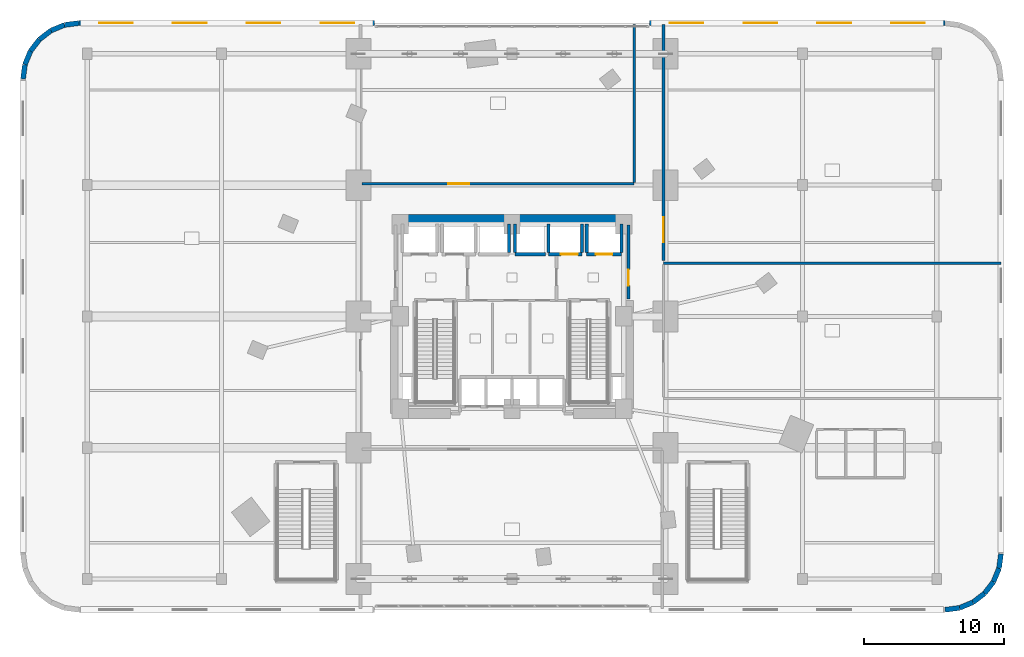
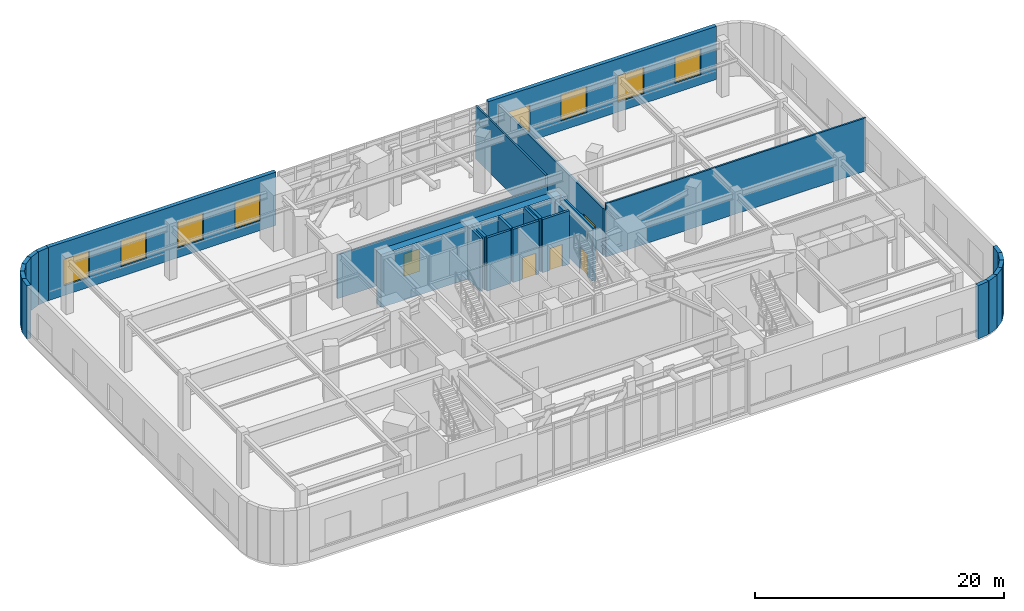
# One storey, part 15 of 19: 29 walls, 8 windows, 5 doors, 13 openings.
"""IFC4 building model written with IfcOpenShell, lengths in metres."""

from ifc_helpers import new_model, si_unit, direction, frame, frame_2d, origin, place, context, subcontext, project, spatial, rectangle, extrude, material, layer, layer_set, type_object, element, fill, save


model = new_model("IFC4")

# Units and contexts
model_context = context("Model", 3, precision=1e-05, world=origin(), true_north=direction((0.0, 1.0)))
body_context = subcontext(model_context, "Body", "Model", "MODEL_VIEW")
ifc_project = project(units=[si_unit("LENGTHUNIT", "METRE"), si_unit("AREAUNIT", "SQUARE_METRE"), si_unit("VOLUMEUNIT", "CUBIC_METRE"), si_unit("PLANEANGLEUNIT", "RADIAN"), si_unit("MASSUNIT", "GRAM", prefix="KILO")], contexts=[model_context])

# Site, building, storey
site_placement = place(None, origin())
site = spatial("IfcSite", under=ifc_project, at=site_placement, CompositionType="ELEMENT")
building_placement = place(site_placement, origin())
building = spatial("IfcBuilding", under=site, at=building_placement, Name="Ndelora Gate Hotel", CompositionType="ELEMENT")
storey_placement = place(building_placement, frame((0.0, 0.0, 16.0)))
storey = spatial("IfcBuildingStorey", under=building, at=storey_placement, Name="L03", CompositionType="ELEMENT", Elevation=16.0)

# Walls
ifc_material_1 = material(Name="Clay Brick Masonry", Category="masonry")
ifc_layer_1 = layer(ifc_material_1, 0.360107421875)
ifc_layer_set_1 = layer_set([ifc_layer_1], Name="Clay Brick Masonry")
wall_type_1 = type_object("IfcWallType", Name="WL-BRICK-360", PredefinedType="SOLIDWALL", material=ifc_layer_set_1)
wall_1_placement = place(storey_placement, frame((32.035400390625, -20.86376953125, 0.0), z_axis=(0.0, 0.0, 1.0), x_axis=(-0.991455091231, -0.130448465198, 0.0)))
element("IfcWall", 1, at=wall_1_placement, inside=storey, type_object=wall_type_1, Name="L03 Exterior Brick Pier-and-Spandrel Wall 1", PredefinedType="SOLIDWALL", context=body_context, shape_type="SweptSolid", body=[
    extrude(rectangle(XDim=1.04443359375, YDim=0.360107421875, at=frame_2d((0.522216796875, 0.0))), origin(), (0.0, 0.0, 1.0), 5.219970703125),
])
for number, where, z_axis, x_axis, name in (
    (2, (33.0, -20.464111328125, 0.0), (0.0, 0.0, 1.0), (-0.923842970528, -0.382771688877, 0.0), "L03 Exterior Brick Pier-and-Spandrel Wall 2"),
    (3, (33.828369140625, -19.828369140625, 0.0), (0.0, 0.0, 1.0), (-0.793301447628, -0.608829050876, 0.0), "L03 Exterior Brick Pier-and-Spandrel Wall 3"),
    (4, (34.464111328125, -19.0, 0.0), (0.0, 0.0, 1.0), (-0.608829050876, -0.793301447628, 0.0), "L03 Exterior Brick Pier-and-Spandrel Wall 4"),
    (5, (34.86376953125, -18.035400390625, 0.0), (0.0, 0.0, 1.0), (-0.382771688877, -0.923842970528, 0.0), "L03 Exterior Brick Pier-and-Spandrel Wall 5"),
):
    element("IfcWall", number, at=place(storey_placement, frame(where, z_axis=z_axis, x_axis=x_axis)), inside=storey, type_object=wall_type_1, Name=name, PredefinedType="SOLIDWALL", context=body_context, shape_type="SweptSolid", body=[
        extrude(rectangle(XDim=1.044189453125, YDim=0.360107421875, at=frame_2d((0.52197265625, 0.0))), origin(), (0.0, 0.0, 1.0), 5.219970703125),
    ])
wall_2_placement = place(storey_placement, frame((35.0, -17.0, 0.0), z_axis=(0.0, 0.0, 1.0), x_axis=(-0.130448465198, -0.991455091231, 0.0)))
element("IfcWall", 6, at=wall_2_placement, inside=storey, type_object=wall_type_1, Name="L03 Exterior Brick Pier-and-Spandrel Wall 6", PredefinedType="SOLIDWALL", context=body_context, shape_type="SweptSolid", body=[
    extrude(rectangle(XDim=1.04443359375, YDim=0.360107421875, at=frame_2d((0.522216796875, 0.0))), origin(), (0.0, 0.0, 1.0), 5.219970703125),
])

# Wall, openings, windows
wall_3_placement = place(storey_placement, frame((-31.0, 21.0, 0.0), z_axis=(0.0, 0.0, 1.0), x_axis=(1.0, 0.0, 0.0)))
wall_3 = element("IfcWall", 7, at=wall_3_placement, inside=storey, type_object=wall_type_1, Name="L03 Exterior Brick Pier-and-Spandrel Wall 14", PredefinedType="SOLIDWALL", context=body_context, shape_type="SweptSolid", body=[
    extrude(rectangle(XDim=21.14990234375, YDim=0.360107421875, at=frame_2d((10.574951171875, 0.0))), origin(), (0.0, 0.0, 1.0), 5.219970703125),
])
opening_1_placement = place(wall_3_placement, frame((1.443603515625, 0.0, 0.949951171875)))
opening_1 = element("IfcOpeningElement", 8, at=opening_1_placement, cuts=wall_3, Name="Opening W04", PredefinedType="OPENING", context=body_context, shape_type="SweptSolid", body=[
    extrude(rectangle(XDim=2.39990234375, YDim=2.60009765625, at=frame_2d((1.199951171875, 1.300048828125))), frame((0.0, 0.18994140625, 0.0), z_axis=(0.0, -1.0, 0.0), x_axis=(1.0, 0.0, 0.0)), (0.0, 0.0, 1.0), 0.380126953125),
])
opening_2_placement = place(wall_3_placement, frame((6.731201171875, 0.0, 0.949951171875)))
opening_2 = element("IfcOpeningElement", 9, at=opening_2_placement, cuts=wall_3, Name="Opening W04", PredefinedType="OPENING", context=body_context, shape_type="SweptSolid", body=[
    extrude(rectangle(XDim=2.39990234375, YDim=2.60009765625, at=frame_2d((1.199951171875, 1.300048828125))), frame((0.0, 0.18994140625, 0.0), z_axis=(0.0, -1.0, 0.0), x_axis=(1.0, 0.0, 0.0)), (0.0, 0.0, 1.0), 0.380126953125),
])
opening_3_placement = place(wall_3_placement, frame((12.018798828125, 0.0, 0.949951171875)))
opening_3 = element("IfcOpeningElement", 10, at=opening_3_placement, cuts=wall_3, Name="Opening W04", PredefinedType="OPENING", context=body_context, shape_type="SweptSolid", body=[
    extrude(rectangle(XDim=2.39990234375, YDim=2.60009765625, at=frame_2d((1.199951171875, 1.300048828125))), frame((0.0, 0.18994140625, 0.0), z_axis=(0.0, -1.0, 0.0), x_axis=(1.0, 0.0, 0.0)), (0.0, 0.0, 1.0), 0.380126953125),
])
opening_4_placement = place(wall_3_placement, frame((17.30615234375, 0.0, 0.949951171875)))
opening_4 = element("IfcOpeningElement", 11, at=opening_4_placement, cuts=wall_3, Name="Opening W04", PredefinedType="OPENING", context=body_context, shape_type="SweptSolid", body=[
    extrude(rectangle(XDim=2.39990234375, YDim=2.60009765625, at=frame_2d((1.199951171875, 1.300048828125))), frame((0.0, 0.18994140625, 0.0), z_axis=(0.0, -1.0, 0.0), x_axis=(1.0, 0.0, 0.0)), (0.0, 0.0, 1.0), 0.380126953125),
])
ifc_material_2 = material(Name="Insulated Low-E Double Glazing in Bronze Aluminium Frame", Category="aluminium")
window_type = type_object("IfcWindowType", Name="WN-POD-2400", PartitioningType="SINGLE_PANEL", PredefinedType="WINDOW", material=ifc_material_2)
window_1_placement = place(opening_1_placement, origin())
window_1 = element("IfcWindow", 12, at=window_1_placement, inside=storey, type_object=window_type, Name="L03 Deep-Set Podium Brick-Frame Window W04", OverallHeight=2.60009765625, OverallWidth=2.39990234375, PartitioningType="SINGLE_PANEL", PredefinedType="WINDOW", context=body_context, shape_type="SweptSolid", body=[
    extrude(rectangle(XDim=2.39990234375, YDim=2.60009765625, at=frame_2d((1.199951171875, 1.300048828125))), frame((0.0, 0.030029296875, 0.0), z_axis=(0.0, -1.0, 0.0), x_axis=(1.0, 0.0, 0.0)), (0.0, 0.0, 1.0), 0.06005859375),
])
fill(opening_1, window_1)
window_2_placement = place(opening_2_placement, origin())
window_2 = element("IfcWindow", 13, at=window_2_placement, inside=storey, type_object=window_type, Name="L03 Deep-Set Podium Brick-Frame Window W04", OverallHeight=2.60009765625, OverallWidth=2.39990234375, PartitioningType="SINGLE_PANEL", PredefinedType="WINDOW", context=body_context, shape_type="SweptSolid", body=[
    extrude(rectangle(XDim=2.39990234375, YDim=2.60009765625, at=frame_2d((1.199951171875, 1.300048828125))), frame((0.0, 0.030029296875, 0.0), z_axis=(0.0, -1.0, 0.0), x_axis=(1.0, 0.0, 0.0)), (0.0, 0.0, 1.0), 0.06005859375),
])
fill(opening_2, window_2)
window_3_placement = place(opening_3_placement, origin())
window_3 = element("IfcWindow", 14, at=window_3_placement, inside=storey, type_object=window_type, Name="L03 Deep-Set Podium Brick-Frame Window W04", OverallHeight=2.60009765625, OverallWidth=2.39990234375, PartitioningType="SINGLE_PANEL", PredefinedType="WINDOW", context=body_context, shape_type="SweptSolid", body=[
    extrude(rectangle(XDim=2.39990234375, YDim=2.60009765625, at=frame_2d((1.199951171875, 1.300048828125))), frame((0.0, 0.030029296875, 0.0), z_axis=(0.0, -1.0, 0.0), x_axis=(1.0, 0.0, 0.0)), (0.0, 0.0, 1.0), 0.06005859375),
])
fill(opening_3, window_3)
window_4_placement = place(opening_4_placement, origin())
window_4 = element("IfcWindow", 15, at=window_4_placement, inside=storey, type_object=window_type, Name="L03 Deep-Set Podium Brick-Frame Window W04", OverallHeight=2.60009765625, OverallWidth=2.39990234375, PartitioningType="SINGLE_PANEL", PredefinedType="WINDOW", context=body_context, shape_type="SweptSolid", body=[
    extrude(rectangle(XDim=2.39990234375, YDim=2.60009765625, at=frame_2d((1.199951171875, 1.300048828125))), frame((0.0, 0.030029296875, 0.0), z_axis=(0.0, -1.0, 0.0), x_axis=(1.0, 0.0, 0.0)), (0.0, 0.0, 1.0), 0.06005859375),
])
fill(opening_4, window_4)

wall_4_placement = place(storey_placement, frame((9.85009765625, 21.0, 0.0), z_axis=(0.0, 0.0, 1.0), x_axis=(1.0, 0.0, 0.0)))
wall_4 = element("IfcWall", 16, at=wall_4_placement, inside=storey, type_object=wall_type_1, Name="L03 Exterior Brick Pier-and-Spandrel Wall 15", PredefinedType="SOLIDWALL", context=body_context, shape_type="SweptSolid", body=[
    extrude(rectangle(XDim=21.14990234375, YDim=0.360107421875, at=frame_2d((10.574951171875, 0.0))), origin(), (0.0, 0.0, 1.0), 5.219970703125),
])
opening_5_placement = place(wall_4_placement, frame((1.443603515625, 0.0, 0.949951171875)))
opening_5 = element("IfcOpeningElement", 17, at=opening_5_placement, cuts=wall_4, Name="Opening W04", PredefinedType="OPENING", context=body_context, shape_type="SweptSolid", body=[
    extrude(rectangle(XDim=2.39990234375, YDim=2.60009765625, at=frame_2d((1.199951171875, 1.300048828125))), frame((0.0, 0.18994140625, 0.0), z_axis=(0.0, -1.0, 0.0), x_axis=(1.0, 0.0, 0.0)), (0.0, 0.0, 1.0), 0.380126953125),
])
opening_6_placement = place(wall_4_placement, frame((6.731201171875, 0.0, 0.949951171875)))
opening_6 = element("IfcOpeningElement", 18, at=opening_6_placement, cuts=wall_4, Name="Opening W04", PredefinedType="OPENING", context=body_context, shape_type="SweptSolid", body=[
    extrude(rectangle(XDim=2.39990234375, YDim=2.60009765625, at=frame_2d((1.199951171875, 1.300048828125))), frame((0.0, 0.18994140625, 0.0), z_axis=(0.0, -1.0, 0.0), x_axis=(1.0, 0.0, 0.0)), (0.0, 0.0, 1.0), 0.380126953125),
])
opening_7_placement = place(wall_4_placement, frame((12.018798828125, 0.0, 0.949951171875)))
opening_7 = element("IfcOpeningElement", 19, at=opening_7_placement, cuts=wall_4, Name="Opening W04", PredefinedType="OPENING", context=body_context, shape_type="SweptSolid", body=[
    extrude(rectangle(XDim=2.39990234375, YDim=2.60009765625, at=frame_2d((1.199951171875, 1.300048828125))), frame((0.0, 0.18994140625, 0.0), z_axis=(0.0, -1.0, 0.0), x_axis=(1.0, 0.0, 0.0)), (0.0, 0.0, 1.0), 0.380126953125),
])
opening_8_placement = place(wall_4_placement, frame((17.30615234375, 0.0, 0.949951171875)))
opening_8 = element("IfcOpeningElement", 20, at=opening_8_placement, cuts=wall_4, Name="Opening W04", PredefinedType="OPENING", context=body_context, shape_type="SweptSolid", body=[
    extrude(rectangle(XDim=2.39990234375, YDim=2.60009765625, at=frame_2d((1.199951171875, 1.300048828125))), frame((0.0, 0.18994140625, 0.0), z_axis=(0.0, -1.0, 0.0), x_axis=(1.0, 0.0, 0.0)), (0.0, 0.0, 1.0), 0.380126953125),
])
window_5_placement = place(opening_5_placement, origin())
window_5 = element("IfcWindow", 21, at=window_5_placement, inside=storey, type_object=window_type, Name="L03 Deep-Set Podium Brick-Frame Window W04", OverallHeight=2.60009765625, OverallWidth=2.39990234375, PartitioningType="SINGLE_PANEL", PredefinedType="WINDOW", context=body_context, shape_type="SweptSolid", body=[
    extrude(rectangle(XDim=2.39990234375, YDim=2.60009765625, at=frame_2d((1.199951171875, 1.300048828125))), frame((0.0, 0.030029296875, 0.0), z_axis=(0.0, -1.0, 0.0), x_axis=(1.0, 0.0, 0.0)), (0.0, 0.0, 1.0), 0.06005859375),
])
fill(opening_5, window_5)
window_6_placement = place(opening_6_placement, origin())
window_6 = element("IfcWindow", 22, at=window_6_placement, inside=storey, type_object=window_type, Name="L03 Deep-Set Podium Brick-Frame Window W04", OverallHeight=2.60009765625, OverallWidth=2.39990234375, PartitioningType="SINGLE_PANEL", PredefinedType="WINDOW", context=body_context, shape_type="SweptSolid", body=[
    extrude(rectangle(XDim=2.39990234375, YDim=2.60009765625, at=frame_2d((1.199951171875, 1.300048828125))), frame((0.0, 0.030029296875, 0.0), z_axis=(0.0, -1.0, 0.0), x_axis=(1.0, 0.0, 0.0)), (0.0, 0.0, 1.0), 0.06005859375),
])
fill(opening_6, window_6)
window_7_placement = place(opening_7_placement, origin())
window_7 = element("IfcWindow", 23, at=window_7_placement, inside=storey, type_object=window_type, Name="L03 Deep-Set Podium Brick-Frame Window W04", OverallHeight=2.60009765625, OverallWidth=2.39990234375, PartitioningType="SINGLE_PANEL", PredefinedType="WINDOW", context=body_context, shape_type="SweptSolid", body=[
    extrude(rectangle(XDim=2.39990234375, YDim=2.60009765625, at=frame_2d((1.199951171875, 1.300048828125))), frame((0.0, 0.030029296875, 0.0), z_axis=(0.0, -1.0, 0.0), x_axis=(1.0, 0.0, 0.0)), (0.0, 0.0, 1.0), 0.06005859375),
])
fill(opening_7, window_7)
window_8_placement = place(opening_8_placement, origin())
window_8 = element("IfcWindow", 24, at=window_8_placement, inside=storey, type_object=window_type, Name="L03 Deep-Set Podium Brick-Frame Window W04", OverallHeight=2.60009765625, OverallWidth=2.39990234375, PartitioningType="SINGLE_PANEL", PredefinedType="WINDOW", context=body_context, shape_type="SweptSolid", body=[
    extrude(rectangle(XDim=2.39990234375, YDim=2.60009765625, at=frame_2d((1.199951171875, 1.300048828125))), frame((0.0, 0.030029296875, 0.0), z_axis=(0.0, -1.0, 0.0), x_axis=(1.0, 0.0, 0.0)), (0.0, 0.0, 1.0), 0.06005859375),
])
fill(opening_8, window_8)

# Walls
wall_5_placement = place(storey_placement, frame((-32.035400390625, 20.86376953125, 0.0), z_axis=(0.0, 0.0, 1.0), x_axis=(0.991455091231, 0.130448465198, 0.0)))
element("IfcWall", 25, at=wall_5_placement, inside=storey, type_object=wall_type_1, Name="L03 Exterior Brick Pier-and-Spandrel Wall 16", PredefinedType="SOLIDWALL", context=body_context, shape_type="SweptSolid", body=[
    extrude(rectangle(XDim=1.04443359375, YDim=0.360107421875, at=frame_2d((0.522216796875, 0.0))), origin(), (0.0, 0.0, 1.0), 5.219970703125),
])
for number, where, z_axis, x_axis, name in (
    (26, (-33.0, 20.464111328125, 0.0), (0.0, 0.0, 1.0), (0.923842970528, 0.382771688877, 0.0), "L03 Exterior Brick Pier-and-Spandrel Wall 17"),
    (27, (-33.828369140625, 19.828369140625, 0.0), (0.0, 0.0, 1.0), (0.793301447628, 0.608829050876, 0.0), "L03 Exterior Brick Pier-and-Spandrel Wall 18"),
    (28, (-34.464111328125, 19.0, 0.0), (0.0, 0.0, 1.0), (0.608829050876, 0.793301447628, 0.0), "L03 Exterior Brick Pier-and-Spandrel Wall 19"),
    (29, (-34.86376953125, 18.035400390625, 0.0), (0.0, 0.0, 1.0), (0.382771688877, 0.923842970528, 0.0), "L03 Exterior Brick Pier-and-Spandrel Wall 20"),
):
    element("IfcWall", number, at=place(storey_placement, frame(where, z_axis=z_axis, x_axis=x_axis)), inside=storey, type_object=wall_type_1, Name=name, PredefinedType="SOLIDWALL", context=body_context, shape_type="SweptSolid", body=[
        extrude(rectangle(XDim=1.044189453125, YDim=0.360107421875, at=frame_2d((0.52197265625, 0.0))), origin(), (0.0, 0.0, 1.0), 5.219970703125),
    ])
wall_6_placement = place(storey_placement, frame((-35.0, 17.0, 0.0), z_axis=(0.0, 0.0, 1.0), x_axis=(0.130448465198, 0.991455091231, 0.0)))
element("IfcWall", 30, at=wall_6_placement, inside=storey, type_object=wall_type_1, Name="L03 Exterior Brick Pier-and-Spandrel Wall 21", PredefinedType="SOLIDWALL", context=body_context, shape_type="SweptSolid", body=[
    extrude(rectangle(XDim=1.04443359375, YDim=0.360107421875, at=frame_2d((0.522216796875, 0.0))), origin(), (0.0, 0.0, 1.0), 5.219970703125),
])
ifc_material_3 = material(Name="Concrete C60/75", Category="concrete")
ifc_layer_2 = layer(ifc_material_3, 0.699951171875)
ifc_layer_set_2 = layer_set([ifc_layer_2], Name="Concrete C60/75")
wall_type_2 = type_object("IfcWallType", Name="WL-CORE-700", PredefinedType="SHEAR", material=ifc_layer_set_2)
wall_7_placement = place(storey_placement, frame((-8.35009765625, 6.949951171875, 0.0), z_axis=(0.0, 0.0, 1.0), x_axis=(1.0, 0.0, 0.0)))
element("IfcWall", 31, at=wall_7_placement, inside=storey, type_object=wall_type_2, Name="L03 Core Shear Wall N", PredefinedType="SHEAR", context=body_context, shape_type="SweptSolid", body=[
    extrude(rectangle(XDim=16.7001953125, YDim=0.699951171875, at=frame_2d((8.35009765625, 0.0))), origin(), (0.0, 0.0, 1.0), 5.219970703125),
])

# Wall, opening, door
ifc_material_4 = material(Name="Concrete C40/50", Category="concrete")
ifc_layer_3 = layer(ifc_material_4, 0.199951171875)
ifc_layer_set_3 = layer_set([ifc_layer_3], Name="Concrete C40/50")
wall_type_3 = type_object("IfcWallType", Name="WL-FIRE-200", PredefinedType="PARTITIONING", material=ifc_layer_set_3)
wall_8_placement = place(storey_placement, frame((8.35009765625, 1.25, 0.0), z_axis=(0.0, 0.0, 1.0), x_axis=(0.0, 1.0, 0.0)))
wall_8 = element("IfcWall", 32, at=wall_8_placement, inside=storey, type_object=wall_type_3, Name="L03 Interior Wall IW-2", PredefinedType="PARTITIONING", context=body_context, shape_type="SweptSolid", body=[
    extrude(rectangle(XDim=5.300048828125, YDim=0.199951171875, at=frame_2d((2.64990234375, 0.0))), origin(), (0.0, 0.0, 1.0), 5.219970703125),
])
opening_9_placement = place(wall_8_placement, frame((0.949951171875, 0.0, 0.0)))
opening_9 = element("IfcOpeningElement", 33, at=opening_9_placement, cuts=wall_8, Name="Opening FD1", PredefinedType="OPENING", context=body_context, shape_type="SweptSolid", body=[
    extrude(rectangle(XDim=1.14990234375, YDim=2.14990234375, at=frame_2d((0.574951171875, 1.074951171875))), frame((0.0, 0.10986328125, 0.0), z_axis=(0.0, -1.0, 0.0), x_axis=(1.0, 0.0, 0.0)), (0.0, 0.0, 1.0), 0.219970703125),
])
ifc_material_5 = material(Name="Fire-Rated Timber-Veneer Steel Core", Category="steel")
door_type_1 = type_object("IfcDoorType", Name="DR-FD60", OperationType="SINGLE_SWING_LEFT", PredefinedType="DOOR", material=ifc_material_5)
door_1_placement = place(opening_9_placement, origin())
door_1 = element("IfcDoor", 34, at=door_1_placement, inside=storey, type_object=door_type_1, Name="L03 Firefighting Lobby East Corridor Door", OperationType="SINGLE_SWING_RIGHT", OverallHeight=2.14990234375, OverallWidth=1.14990234375, PredefinedType="DOOR", context=body_context, shape_type="SweptSolid", body=[
    extrude(rectangle(XDim=1.14990234375, YDim=2.14990234375, at=frame_2d((0.574951171875, 1.074951171875))), frame((0.0, 0.02490234375, 0.0), z_axis=(0.0, -1.0, 0.0), x_axis=(1.0, 0.0, 0.0)), (0.0, 0.0, 1.0), 0.050048828125),
])
fill(opening_9, door_1)

wall_9_placement = place(storey_placement, frame((10.85009765625, 20.89990234375, 0.0), z_axis=(0.0, 0.0, 1.0), x_axis=(0.0, -1.0, 0.0)))
wall_9 = element("IfcWall", 35, at=wall_9_placement, inside=storey, type_object=wall_type_3, Name="L03 Interior Wall IW-2", PredefinedType="PARTITIONING", context=body_context, shape_type="SweptSolid", body=[
    extrude(rectangle(XDim=16.89990234375, YDim=0.199951171875, at=frame_2d((8.449951171875, 0.0))), origin(), (0.0, 0.0, 1.0), 4.60009765625),
])
opening_10_placement = place(wall_9_placement, frame((13.800048828125, 0.0, 0.0)))
opening_10 = element("IfcOpeningElement", 36, at=opening_10_placement, cuts=wall_9, Name="Opening FD2", PredefinedType="OPENING", context=body_context, shape_type="SweptSolid", body=[
    extrude(rectangle(XDim=1.800048828125, YDim=2.199951171875, at=frame_2d((0.89990234375, 1.10009765625))), frame((0.0, 0.10986328125, 0.0), z_axis=(0.0, -1.0, 0.0), x_axis=(1.0, 0.0, 0.0)), (0.0, 0.0, 1.0), 0.219970703125),
])
ifc_material_6 = material(Name="Fire-Rated Double Exit Door", Category="wood")
door_type_2 = type_object("IfcDoorType", Name="DR-DBL-1800", OperationType="DOUBLE_DOOR_SINGLE_SWING", PredefinedType="DOOR", material=ifc_material_6)
door_2_placement = place(opening_10_placement, origin())
door_2 = element("IfcDoor", 37, at=door_2_placement, inside=storey, type_object=door_type_2, Name="L03 Banquet Plating Kitchen Door", OperationType="DOUBLE_DOOR_SINGLE_SWING", OverallHeight=2.199951171875, OverallWidth=1.800048828125, PredefinedType="DOOR", context=body_context, shape_type="SweptSolid", body=[
    extrude(rectangle(XDim=1.800048828125, YDim=2.199951171875, at=frame_2d((0.89990234375, 1.10009765625))), frame((0.0, 0.02490234375, 0.0), z_axis=(0.0, -1.0, 0.0), x_axis=(1.0, 0.0, 0.0)), (0.0, 0.0, 1.0), 0.050048828125),
])
fill(opening_10, door_2)

ifc_material_7 = material(Name="Fire-Rated Gypsum Stud Partition", Category="gypsum")
ifc_layer_4 = layer(ifc_material_7, 0.159912109375)
ifc_layer_set_4 = layer_set([ifc_layer_4], Name="Fire-Rated Gypsum Stud Partition")
wall_type_4 = type_object("IfcWallType", Name="WL-PART-160", PredefinedType="PARTITIONING", material=ifc_layer_set_4)
wall_10_placement = place(storey_placement, frame((-10.75, 9.5, 0.0), z_axis=(0.0, 0.0, 1.0), x_axis=(1.0, 0.0, 0.0)))
wall_10 = element("IfcWall", 38, at=wall_10_placement, inside=storey, type_object=wall_type_4, Name="L03 Interior Wall IW-4", PredefinedType="PARTITIONING", context=body_context, shape_type="SweptSolid", body=[
    extrude(rectangle(XDim=19.5, YDim=0.159912109375, at=frame_2d((9.75, 0.0))), origin(), (0.0, 0.0, 1.0), 4.300048828125),
])
opening_11_placement = place(wall_10_placement, frame((6.199951171875, 0.0, 0.0)))
opening_11 = element("IfcOpeningElement", 39, at=opening_11_placement, cuts=wall_10, Name="Opening D06", PredefinedType="OPENING", context=body_context, shape_type="SweptSolid", body=[
    extrude(rectangle(XDim=1.5, YDim=2.199951171875, at=frame_2d((0.75, 1.10009765625))), frame((0.0, 0.08984375, 0.0), z_axis=(0.0, -1.0, 0.0), x_axis=(1.0, 0.0, 0.0)), (0.0, 0.0, 1.0), 0.179931640625),
])
ifc_material_8 = material(Name="Podium Salon Double Leaf Door", Category="wood")
door_type_3 = type_object("IfcDoorType", Name="DR-POD-1500", OperationType="DOUBLE_DOOR_SINGLE_SWING", PredefinedType="DOOR", material=ifc_material_8)
door_3_placement = place(opening_11_placement, origin())
door_3 = element("IfcDoor", 40, at=door_3_placement, inside=storey, type_object=door_type_3, Name="L03 Banquet Reception Salon Door", OperationType="DOUBLE_DOOR_SINGLE_SWING", OverallHeight=2.199951171875, OverallWidth=1.5, PredefinedType="DOOR", context=body_context, shape_type="SweptSolid", body=[
    extrude(rectangle(XDim=1.5, YDim=2.199951171875, at=frame_2d((0.75, 1.10009765625))), frame((0.0, 0.02490234375, 0.0), z_axis=(0.0, -1.0, 0.0), x_axis=(1.0, 0.0, 0.0)), (0.0, 0.0, 1.0), 0.050048828125),
])
fill(opening_11, door_3)

# Walls
wall_11_placement = place(storey_placement, frame((8.75, 9.60009765625, 0.0), z_axis=(0.0, 0.0, 1.0), x_axis=(0.0, 1.0, 0.0)))
element("IfcWall", 41, at=wall_11_placement, inside=storey, type_object=wall_type_4, Name="L03 Interior Wall IW-4", PredefinedType="PARTITIONING", context=body_context, shape_type="SweptSolid", body=[
    extrude(rectangle(XDim=11.2998046875, YDim=0.159912109375, at=frame_2d((5.64990234375, 0.0))), origin(), (0.0, 0.0, 1.0), 5.219970703125),
])
wall_12_placement = place(storey_placement, frame((35.0, 3.800048828125, 0.0), z_axis=(0.0, 0.0, 1.0), x_axis=(-1.0, 0.0, 0.0)))
element("IfcWall", 42, at=wall_12_placement, inside=storey, type_object=wall_type_4, Name="L03 Interior Wall IW-4", PredefinedType="PARTITIONING", context=body_context, shape_type="SweptSolid", body=[
    extrude(rectangle(XDim=24.14990234375, YDim=0.159912109375, at=frame_2d((12.074951171875, 0.0))), origin(), (0.0, 0.0, 1.0), 5.219970703125),
])

# Wall, opening, door
ifc_layer_5 = layer(ifc_material_4, 0.219970703125)
ifc_layer_set_5 = layer_set([ifc_layer_5], Name="Concrete C40/50")
wall_type_5 = type_object("IfcWallType", Name="WL-SHAFT-220", PredefinedType="PARTITIONING", material=ifc_layer_set_5)
wall_13_placement = place(storey_placement, frame((5.35009765625, 4.449951171875, 0.0), z_axis=(0.0, 0.0, 1.0), x_axis=(1.0, 0.0, 0.0)))
wall_13 = element("IfcWall", 43, at=wall_13_placement, inside=storey, type_object=wall_type_5, Name="L03 Interior Wall IW-1", PredefinedType="PARTITIONING", context=body_context, shape_type="SweptSolid", body=[
    extrude(rectangle(XDim=2.5, YDim=0.219970703125, at=frame_2d((1.25, 0.0))), origin(), (0.0, 0.0, 1.0), 5.219970703125),
])
opening_12_placement = place(wall_13_placement, frame((0.659912109375, 0.0, 0.0)))
opening_12 = element("IfcOpeningElement", 44, at=opening_12_placement, cuts=wall_13, Name="Opening LD5", PredefinedType="OPENING", context=body_context, shape_type="SweptSolid", body=[
    extrude(rectangle(XDim=1.179931640625, YDim=2.14990234375, at=frame_2d((0.58984375, 1.074951171875))), frame((0.0, 0.1201171875, 0.0), z_axis=(0.0, -1.0, 0.0), x_axis=(1.0, 0.0, 0.0)), (0.0, 0.0, 1.0), 0.239990234375),
])
ifc_material_9 = material(Name="Firefighting Lift Stainless Sliding Landing Door", Category="metal")
door_type_4 = type_object("IfcDoorType", Name="DR-LD5", OperationType="DOUBLE_DOOR_SLIDING", PredefinedType="DOOR", material=ifc_material_9)
door_4_placement = place(opening_12_placement, origin())
door_4 = element("IfcDoor", 45, at=door_4_placement, inside=storey, type_object=door_type_4, Name="L03 Lift Landing Sliding Door FFL2", OperationType="DOUBLE_DOOR_SLIDING", OverallHeight=2.14990234375, OverallWidth=1.179931640625, PredefinedType="DOOR", context=body_context, shape_type="SweptSolid", body=[
    extrude(rectangle(XDim=1.179931640625, YDim=2.14990234375, at=frame_2d((0.58984375, 1.074951171875))), frame((0.0, 0.02490234375, 0.0), z_axis=(0.0, -1.0, 0.0), x_axis=(1.0, 0.0, 0.0)), (0.0, 0.0, 1.0), 0.050048828125),
])
fill(opening_12, door_4)

# Walls
wall_14_placement = place(storey_placement, frame((5.35009765625, 4.570068359375, 0.0), z_axis=(0.0, 0.0, 1.0), x_axis=(0.0, 1.0, 0.0)))
element("IfcWall", 46, at=wall_14_placement, inside=storey, type_object=wall_type_5, Name="L03 Interior Wall IW-1", PredefinedType="PARTITIONING", context=body_context, shape_type="SweptSolid", body=[
    extrude(rectangle(XDim=2.030029296875, YDim=0.219970703125, at=frame_2d((1.01513671875, 0.0))), origin(), (0.0, 0.0, 1.0), 5.219970703125),
])
wall_15_placement = place(storey_placement, frame((7.85009765625, 4.570068359375, 0.0), z_axis=(0.0, 0.0, 1.0), x_axis=(0.0, 1.0, 0.0)))
element("IfcWall", 47, at=wall_15_placement, inside=storey, type_object=wall_type_5, Name="L03 Interior Wall IW-1", PredefinedType="PARTITIONING", context=body_context, shape_type="SweptSolid", body=[
    extrude(rectangle(XDim=2.030029296875, YDim=0.219970703125, at=frame_2d((1.01513671875, 0.0))), origin(), (0.0, 0.0, 1.0), 4.800048828125),
])

# Wall, opening, door
wall_16_placement = place(storey_placement, frame((2.60009765625, 4.449951171875, 0.0), z_axis=(0.0, 0.0, 1.0), x_axis=(1.0, 0.0, 0.0)))
wall_16 = element("IfcWall", 48, at=wall_16_placement, inside=storey, type_object=wall_type_5, Name="L03 Interior Wall IW-1", PredefinedType="PARTITIONING", context=body_context, shape_type="SweptSolid", body=[
    extrude(rectangle(XDim=2.39990234375, YDim=0.219970703125, at=frame_2d((1.199951171875, 0.0))), origin(), (0.0, 0.0, 1.0), 5.219970703125),
])
opening_13_placement = place(wall_16_placement, frame((0.89990234375, 0.0, 0.0)))
opening_13 = element("IfcOpeningElement", 49, at=opening_13_placement, cuts=wall_16, Name="Opening LD6", PredefinedType="OPENING", context=body_context, shape_type="SweptSolid", body=[
    extrude(rectangle(XDim=1.219970703125, YDim=2.14990234375, at=frame_2d((0.60986328125, 1.074951171875))), frame((0.0, 0.1201171875, 0.0), z_axis=(0.0, -1.0, 0.0), x_axis=(1.0, 0.0, 0.0)), (0.0, 0.0, 1.0), 0.239990234375),
])
ifc_material_10 = material(Name="Heavy-Duty Service Lift Sliding Landing Door", Category="wood")
door_type_5 = type_object("IfcDoorType", Name="DR-LD6", OperationType="DOUBLE_DOOR_SLIDING", PredefinedType="DOOR", material=ifc_material_10)
door_5_placement = place(opening_13_placement, origin())
door_5 = element("IfcDoor", 50, at=door_5_placement, inside=storey, type_object=door_type_5, Name="L03 Lift Landing Sliding Door SVL2", OperationType="DOUBLE_DOOR_SLIDING", OverallHeight=2.14990234375, OverallWidth=1.219970703125, PredefinedType="DOOR", context=body_context, shape_type="SweptSolid", body=[
    extrude(rectangle(XDim=1.219970703125, YDim=2.14990234375, at=frame_2d((0.60986328125, 1.074951171875))), frame((0.0, 0.02490234375, 0.0), z_axis=(0.0, -1.0, 0.0), x_axis=(1.0, 0.0, 0.0)), (0.0, 0.0, 1.0), 0.050048828125),
])
fill(opening_13, door_5)

# Walls
for number, where, z_axis, x_axis, name in (
    (51, (2.60009765625, 4.570068359375, 0.0), (0.0, 0.0, 1.0), (0.0, 1.0, 0.0), "L03 Interior Wall IW-1"),
    (52, (5.0, 4.570068359375, 0.0), (0.0, 0.0, 1.0), (0.0, 1.0, 0.0), "L03 Interior Wall IW-1"),
    (53, (-0.199951171875, 4.570068359375, 0.0), (0.0, 0.0, 1.0), (0.0, 1.0, 0.0), "L03 Interior Wall IW-1"),
):
    element("IfcWall", number, at=place(storey_placement, frame(where, z_axis=z_axis, x_axis=x_axis)), inside=storey, type_object=wall_type_5, Name=name, PredefinedType="PARTITIONING", context=body_context, shape_type="SweptSolid", body=[
        extrude(rectangle(XDim=2.030029296875, YDim=0.219970703125, at=frame_2d((1.01513671875, 0.0))), origin(), (0.0, 0.0, 1.0), 5.219970703125),
    ])
wall_17_placement = place(storey_placement, frame((0.199951171875, 4.449951171875, 0.0), z_axis=(0.0, 0.0, 1.0), x_axis=(1.0, 0.0, 0.0)))
element("IfcWall", 54, at=wall_17_placement, inside=storey, type_object=wall_type_5, Name="L03 Interior Wall IW-1", PredefinedType="PARTITIONING", context=body_context, shape_type="SweptSolid", body=[
    extrude(rectangle(XDim=2.199951171875, YDim=0.219970703125, at=frame_2d((1.10009765625, 0.0))), origin(), (0.0, 0.0, 1.0), 5.219970703125),
])
wall_18_placement = place(storey_placement, frame((0.199951171875, 4.570068359375, 0.0), z_axis=(0.0, 0.0, 1.0), x_axis=(0.0, 1.0, 0.0)))
element("IfcWall", 55, at=wall_18_placement, inside=storey, type_object=wall_type_5, Name="L03 Interior Wall IW-1", PredefinedType="PARTITIONING", context=body_context, shape_type="SweptSolid", body=[
    extrude(rectangle(XDim=2.030029296875, YDim=0.219970703125, at=frame_2d((1.01513671875, 0.0))), origin(), (0.0, 0.0, 1.0), 5.219970703125),
])

save(model, "model.ifc")
